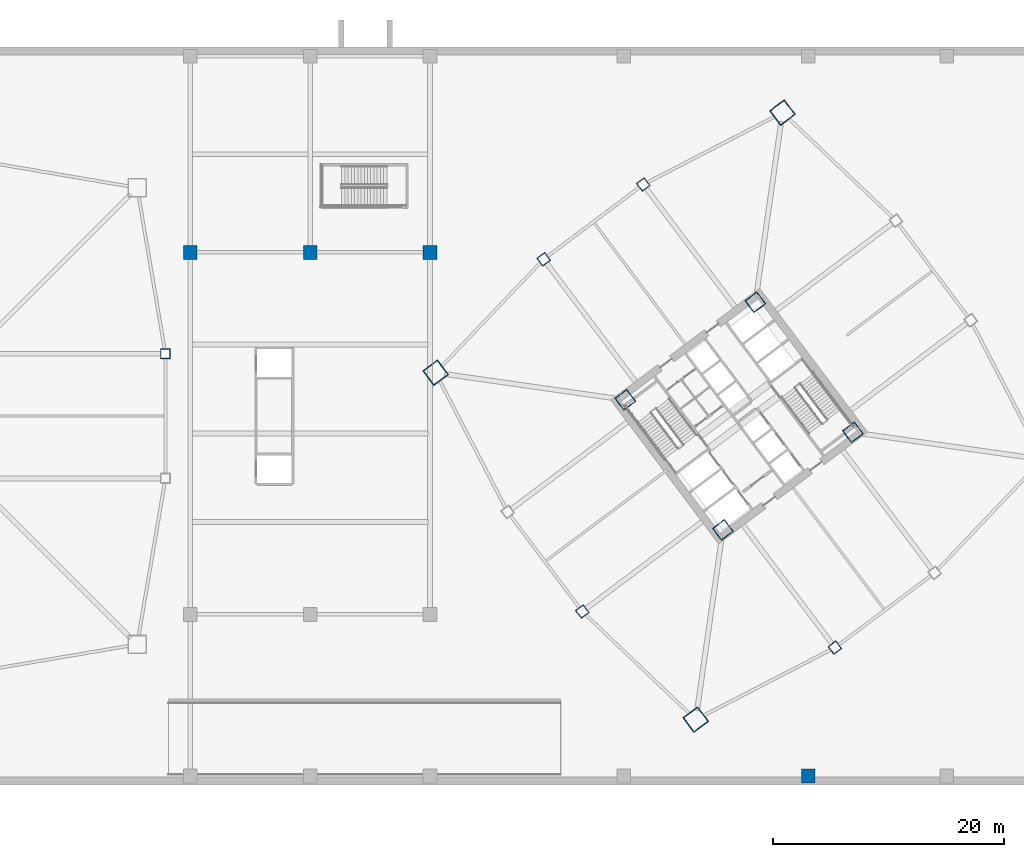
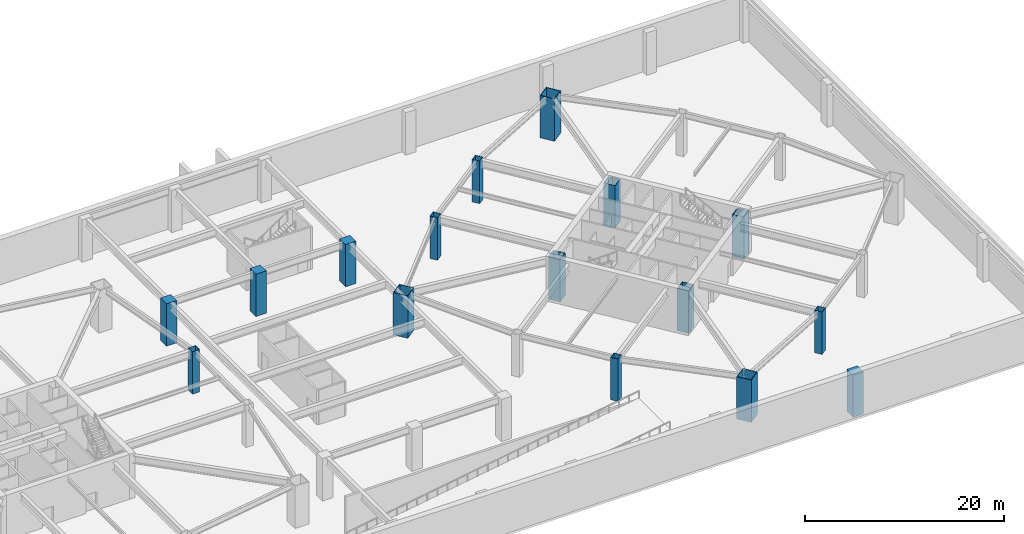
# One storey, part 2 of 17: 16 columns.
"""IFC4 building model written with IfcOpenShell, lengths in metres."""

from ifc_helpers import new_model, si_unit, direction, frame, origin, origin_2d, place, context, subcontext, project, spatial, rectangle, hollow_rectangle, extrude, material, material_profile, profile_set, type_object, element, save


model = new_model("IFC4")

# Units and contexts
model_context = context("Model", 3, precision=1e-05, world=origin(), true_north=direction((0.0, 1.0)))
body_context = subcontext(model_context, "Body", "Model", "MODEL_VIEW")
ifc_project = project(units=[si_unit("LENGTHUNIT", "METRE"), si_unit("AREAUNIT", "SQUARE_METRE"), si_unit("VOLUMEUNIT", "CUBIC_METRE"), si_unit("PLANEANGLEUNIT", "RADIAN"), si_unit("MASSUNIT", "GRAM", prefix="KILO")], contexts=[model_context])

# Site, building, storey
site_placement = place(None, origin())
site = spatial("IfcSite", under=ifc_project, at=site_placement, CompositionType="ELEMENT")
building_placement = place(site_placement, origin())
building = spatial("IfcBuilding", under=site, at=building_placement, Name="Tashvorn Skyway Center", CompositionType="ELEMENT")
storey_placement = place(building_placement, frame((0.0, 0.0, -5.5)))
storey = spatial("IfcBuildingStorey", under=building, at=storey_placement, Name="B1", CompositionType="ELEMENT", Elevation=-5.5)

# Columns
ifc_material_1 = material(Name="Steel ASTM A572 Grade 50", Category="steel")
ifc_material_profile_1 = material_profile(ifc_material_1, hollow_rectangle(XDim=1.300048828125, YDim=1.300048828125, WallThickness=0.050048828125, at=origin_2d()), Name="BOX1300x1300x50")
ifc_profile_set_1 = profile_set([ifc_material_profile_1], Name="Steel ASTM A572 Grade 50")
column_type_1 = type_object("IfcColumnType", Name="COL-BOX1300x1300x50", PredefinedType="COLUMN", material=ifc_profile_set_1)
for number, where, z_axis, x_axis, name in (
    (1, (112.590087890625, 22.1298828125, 0.0), (0.0, 0.0, 1.0), (0.799999996291, 0.600000004945, 0.0), "Tower 2 B1 Core Corner Column CC-SW"),
    (2, (123.8701171875, 30.590087890625, 0.0), (0.0, 0.0, 1.0), (0.799999996291, 0.600000004945, 0.0), "Tower 2 B1 Core Corner Column CC-SE"),
    (3, (115.409912109375, 41.8701171875, 0.0), (0.0, 0.0, 1.0), (0.799999996291, 0.600000004945, 0.0), "Tower 2 B1 Core Corner Column CC-NE"),
    (4, (104.1298828125, 33.409912109375, 0.0), (0.0, 0.0, 1.0), (0.799999996291, 0.600000004945, 0.0), "Tower 2 B1 Core Corner Column CC-NW"),
):
    element("IfcColumn", number, at=place(storey_placement, frame(where, z_axis=z_axis, x_axis=x_axis)), inside=storey, type_object=column_type_1, Name=name, PredefinedType="COLUMN", context=body_context, shape_type="SweptSolid", body=[
        extrude(hollow_rectangle(XDim=1.300048828125, YDim=1.300048828125, WallThickness=0.050048828125, at=origin_2d()), origin(), (0.0, 0.0, 1.0), 5.199951171875),
    ])
ifc_material_profile_2 = material_profile(ifc_material_1, hollow_rectangle(XDim=1.60009765625, YDim=1.60009765625, WallThickness=0.06005859375, at=origin_2d()), Name="BOX1600x1600x60")
ifc_profile_set_2 = profile_set([ifc_material_profile_2], Name="Steel ASTM A572 Grade 50")
column_type_2 = type_object("IfcColumnType", Name="COL-BOX1600x1600x60", PredefinedType="COLUMN", material=ifc_profile_set_2)
for number, where, z_axis, x_axis, name in (
    (5, (110.239990234375, 5.679931640625, 0.0), (0.0, 0.0, 1.0), (0.799999996291, 0.600000004945, 0.0), "Tower 2 B1 Mega-Column MC-SW"),
    (6, (117.760009765625, 58.320068359375, 0.0), (0.0, 0.0, 1.0), (0.799999996291, 0.600000004945, 0.0), "Tower 2 B1 Mega-Column MC-NE"),
    (7, (87.679931640625, 35.760009765625, 0.0), (0.0, 0.0, 1.0), (0.799999996291, 0.600000004945, 0.0), "Tower 2 B1 Mega-Column MC-NW"),
):
    element("IfcColumn", number, at=place(storey_placement, frame(where, z_axis=z_axis, x_axis=x_axis)), inside=storey, type_object=column_type_2, Name=name, PredefinedType="COLUMN", context=body_context, shape_type="SweptSolid", body=[
        extrude(hollow_rectangle(XDim=1.60009765625, YDim=1.60009765625, WallThickness=0.06005859375, at=origin_2d()), origin(), (0.0, 0.0, 1.0), 5.199951171875),
    ])
ifc_material_profile_3 = material_profile(ifc_material_1, hollow_rectangle(XDim=0.85009765625, YDim=0.85009765625, WallThickness=0.034912109375, at=origin_2d()), Name="BOX850x850x35")
ifc_profile_set_3 = profile_set([ifc_material_profile_3], Name="Steel ASTM A572 Grade 50")
column_type_3 = type_object("IfcColumnType", Name="COL-BOX850x850x35", PredefinedType="COLUMN", material=ifc_profile_set_3)
for number, where, z_axis, x_axis, name in (
    (8, (64.25, 37.39990234375, 0.0), (0.0, 0.0, 1.0), (1.0, 0.0, 0.0), "Tower 1 B1 Perimeter Column FC-E2"),
    (9, (122.31005859375, 11.919921875, 0.0), (0.0, 0.0, 1.0), (0.799999996291, 0.600000004945, 0.0), "Tower 2 B1 Perimeter Column FC-S1"),
    (10, (105.68994140625, 52.080078125, 0.0), (0.0, 0.0, 1.0), (0.799999996291, 0.600000004945, 0.0), "Tower 2 B1 Perimeter Column FC-N1"),
    (11, (97.050048828125, 45.60009765625, 0.0), (0.0, 0.0, 1.0), (0.799999996291, 0.600000004945, 0.0), "Tower 2 B1 Perimeter Column FC-N2"),
    (12, (100.39990234375, 15.050048828125, 0.0), (0.0, 0.0, 1.0), (0.799999996291, 0.600000004945, 0.0), "Tower 2 B1 Perimeter Column FC-W2"),
):
    element("IfcColumn", number, at=place(storey_placement, frame(where, z_axis=z_axis, x_axis=x_axis)), inside=storey, type_object=column_type_3, Name=name, PredefinedType="COLUMN", context=body_context, shape_type="SweptSolid", body=[
        extrude(hollow_rectangle(XDim=0.85009765625, YDim=0.85009765625, WallThickness=0.034912109375, at=origin_2d()), origin(), (0.0, 0.0, 1.0), 5.199951171875),
    ])
ifc_material_2 = material(Name="Concrete C50/60", Category="concrete")
ifc_material_profile_4 = material_profile(ifc_material_2, rectangle(XDim=1.199951171875, YDim=1.199951171875, at=origin_2d()), Name="RC1200x1200")
ifc_profile_set_4 = profile_set([ifc_material_profile_4], Name="Concrete C50/60")
column_type_4 = type_object("IfcColumnType", Name="COL-RC1200x1200", PredefinedType="COLUMN", material=ifc_profile_set_4)
for number, where, z_axis, x_axis, name in (
    (13, (120.0, 0.800048828125, 0.0), (0.0, 0.0, 1.0), (1.0, 0.0, 0.0), "B1 Podium Column PC-08-1"),
    (14, (66.39990234375, 46.199951171875, 0.0), (0.0, 0.0, 1.0), (1.0, 0.0, 0.0), "B1 Podium Column PIC-03-2"),
    (15, (76.800048828125, 46.199951171875, 0.0), (0.0, 0.0, 1.0), (1.0, 0.0, 0.0), "B1 Podium Column PIC-04-2"),
    (16, (87.199951171875, 46.199951171875, 0.0), (0.0, 0.0, 1.0), (1.0, 0.0, 0.0), "B1 Podium Column PIC-05-2"),
):
    element("IfcColumn", number, at=place(storey_placement, frame(where, z_axis=z_axis, x_axis=x_axis)), inside=storey, type_object=column_type_4, Name=name, PredefinedType="COLUMN", context=body_context, shape_type="SweptSolid", body=[
        extrude(rectangle(XDim=1.199951171875, YDim=1.199951171875, at=origin_2d()), origin(), (0.0, 0.0, 1.0), 5.199951171875),
    ])

save(model, "model.ifc")
